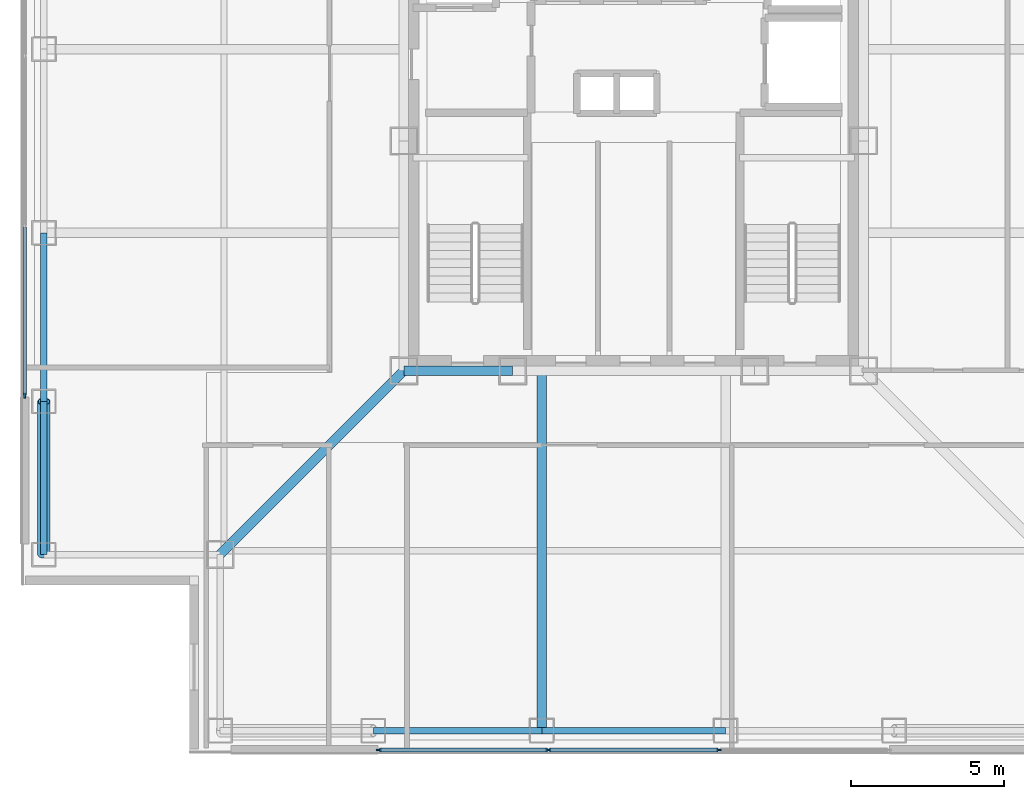
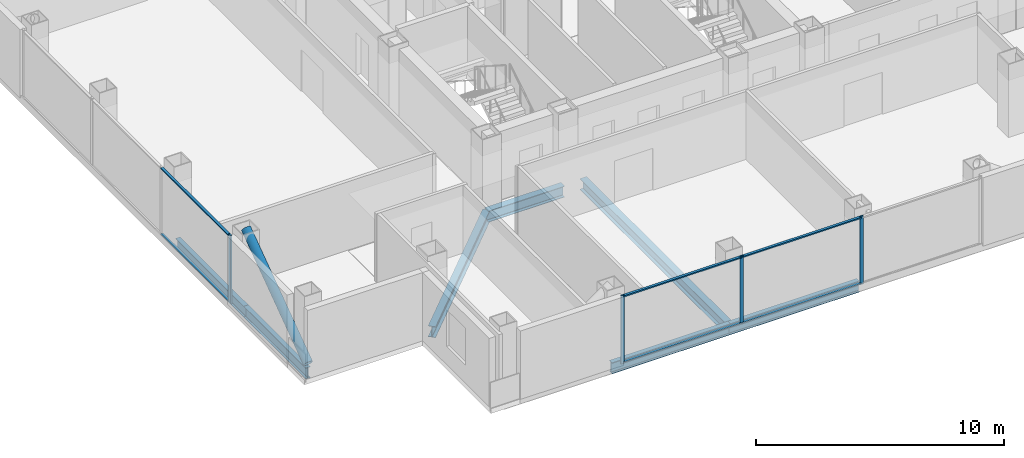
# One storey, part 2 of 17: 11 members, 7 beams, 2 elements without a shape of their own.
"""IFC4 building model written with IfcOpenShell, lengths in metres."""

from ifc_helpers import new_model, si_unit, direction, frame, origin, origin_2d, place, context, subcontext, project, spatial, rectangle, hollow_circle, i_section, extrude, material, layer, layer_set, material_profile, profile_set, type_object, element, aggregate, save


model = new_model("IFC4")

# Units and contexts
model_context = context("Model", 3, precision=1e-05, world=origin(), true_north=direction((0.0, 1.0)))
body_context = subcontext(model_context, "Body", "Model", "MODEL_VIEW")
ifc_project = project(units=[si_unit("LENGTHUNIT", "METRE"), si_unit("AREAUNIT", "SQUARE_METRE"), si_unit("VOLUMEUNIT", "CUBIC_METRE"), si_unit("PLANEANGLEUNIT", "RADIAN"), si_unit("MASSUNIT", "GRAM", prefix="KILO")], contexts=[model_context])

# Site, building, storey
site_placement = place(None, origin())
site = spatial("IfcSite", under=ifc_project, at=site_placement, CompositionType="ELEMENT")
building_placement = place(site_placement, origin())
building = spatial("IfcBuilding", under=site, at=building_placement, Name="Trevonay Congress Spire", CompositionType="ELEMENT")
storey_placement = place(building_placement, frame((0.0, 0.0, 191.39990234375)))
storey = spatial("IfcBuildingStorey", under=building, at=storey_placement, Name="L49", CompositionType="ELEMENT", Elevation=191.39990234375)

# Beams
ifc_material_1 = material(Name="Steel ASTM A572 Grade 50", Category="steel")
ifc_material_profile_1 = material_profile(ifc_material_1, i_section(OverallWidth=0.31201171875, OverallDepth=0.54296875, WebThickness=0.0126953125, FlangeThickness=0.020263671875, FilletRadius=0.014892578125, at=origin_2d()), Name="W530x150")
ifc_profile_set_1 = profile_set([ifc_material_profile_1], Name="Steel ASTM A572 Grade 50")
beam_type_1 = type_object("IfcBeamType", Name="BM-GIRD-W530X150", PredefinedType="BEAM", material=ifc_profile_set_1)
beam_1_placement = place(storey_placement, frame((-7.5, -7.5, -0.511474609375), z_axis=(1.0, 0.0, 0.0), x_axis=(0.0, 1.0, 0.0)))
element("IfcBeam", 1, at=beam_1_placement, inside=storey, type_object=beam_type_1, Name="L49 structural beam BM-L49-CR-S1", PredefinedType="BEAM", context=body_context, shape_type="SweptSolid", body=[
    extrude(i_section(OverallWidth=0.31201171875, OverallDepth=0.54296875, WebThickness=0.0126953125, FlangeThickness=0.020263671875, FilletRadius=0.014892578125, at=origin_2d()), origin(), (0.0, 0.0, 1.0), 3.550048828125),
])
beam_2_placement = place(storey_placement, frame((-7.5, -7.5, -0.511474609375), z_axis=(-0.707106781187, -0.707106781187, 0.0), x_axis=(0.707106781187, -0.707106781187, 0.0)))
element("IfcBeam", 2, at=beam_2_placement, inside=storey, type_object=beam_type_1, Name="L49 structural beam BM-L49-CDSW", PredefinedType="BEAM", context=body_context, shape_type="SweptSolid", body=[
    extrude(i_section(OverallWidth=0.31201171875, OverallDepth=0.54296875, WebThickness=0.0126953125, FlangeThickness=0.020263671875, FilletRadius=0.014892578125, at=origin_2d()), origin(), (0.0, 0.0, 1.0), 8.4853515625),
])
beam_3_placement = place(storey_placement, frame((-3.0, -7.5, -0.511474609375), z_axis=(0.0, -1.0, 0.0), x_axis=(1.0, 0.0, 0.0)))
element("IfcBeam", 3, at=beam_3_placement, inside=storey, type_object=beam_type_1, Name="L49 structural beam BM-L49-GS-M", PredefinedType="BEAM", context=body_context, shape_type="SweptSolid", body=[
    extrude(i_section(OverallWidth=0.31201171875, OverallDepth=0.54296875, WebThickness=0.0126953125, FlangeThickness=0.020263671875, FilletRadius=0.014892578125, at=origin_2d()), origin(), (0.0, 0.0, 1.0), 11.75),
])
ifc_material_profile_2 = material_profile(ifc_material_1, i_section(OverallWidth=0.2119140625, OverallDepth=0.5439453125, WebThickness=0.01318359375, FlangeThickness=0.021240234375, FilletRadius=0.014892578125, at=origin_2d()), Name="W530x123")
ifc_profile_set_2 = profile_set([ifc_material_profile_2], Name="Steel ASTM A572 Grade 50")
beam_type_2 = type_object("IfcBeamType", Name="BM-RING-W530X123", PredefinedType="BEAM", material=ifc_profile_set_2)
beam_4_placement = place(storey_placement, frame((-19.25, -13.5, -0.511962890625), z_axis=(0.0, 1.0, 0.0), x_axis=(-1.0, 0.0, 0.0)))
element("IfcBeam", 4, at=beam_4_placement, inside=storey, type_object=beam_type_2, Name="L49 structural beam BM-L49-PW1", PredefinedType="BEAM", context=body_context, shape_type="SweptSolid", body=[
    extrude(i_section(OverallWidth=0.2119140625, OverallDepth=0.5439453125, WebThickness=0.01318359375, FlangeThickness=0.021240234375, FilletRadius=0.014892578125, at=origin_2d()), origin(), (0.0, 0.0, 1.0), 5.0),
])
for number, where, z_axis, x_axis, name in (
    (5, (-8.5, -19.25, -0.511962890625), (1.0, 0.0, 0.0), (0.0, 1.0, 0.0), "L49 structural beam BM-L49-PS2"),
    (6, (-19.25, -8.5, -0.511962890625), (0.0, 1.0, 0.0), (-1.0, 0.0, 0.0), "L49 structural beam BM-L49-PW2"),
):
    element("IfcBeam", number, at=place(storey_placement, frame(where, z_axis=z_axis, x_axis=x_axis)), inside=storey, type_object=beam_type_2, Name=name, PredefinedType="BEAM", context=body_context, shape_type="SweptSolid", body=[
        extrude(i_section(OverallWidth=0.2119140625, OverallDepth=0.5439453125, WebThickness=0.01318359375, FlangeThickness=0.021240234375, FilletRadius=0.014892578125, at=origin_2d()), origin(), (0.0, 0.0, 1.0), 5.5),
    ])
beam_5_placement = place(storey_placement, frame((-3.0, -19.25, -0.511962890625), z_axis=(1.0, 0.0, 0.0), x_axis=(0.0, 1.0, 0.0)))
element("IfcBeam", 7, at=beam_5_placement, inside=storey, type_object=beam_type_2, Name="L49 structural beam BM-L49-PS3", PredefinedType="BEAM", context=body_context, shape_type="SweptSolid", body=[
    extrude(i_section(OverallWidth=0.2119140625, OverallDepth=0.5439453125, WebThickness=0.01318359375, FlangeThickness=0.021240234375, FilletRadius=0.014892578125, at=origin_2d()), origin(), (0.0, 0.0, 1.0), 6.0),
])

# Curtain wall, members
ifc_material_2 = material(Name="Pale Anodised Aluminium EN AW-6063-T6", Category="aluminium")
ifc_layer = layer(ifc_material_2, 0.169921875, Name="Pale Anodised Aluminium EN AW-6063-T6")
ifc_layer_set = layer_set([ifc_layer], Name="Pale Anodised Aluminium EN AW-6063-T6")
curtain_wall_type = type_object("IfcCurtainWallType", Name="CW-SYS04-CORP-PALE-METAL", PredefinedType="NOTDEFINED", material=ifc_layer_set)
curtain_wall_1_placement = place(storey_placement, origin())
curtain_wall_1 = element("IfcCurtainWall", 8, at=curtain_wall_1_placement, inside=storey, type_object=curtain_wall_type, Name="L49 S unitised curtain wall", PredefinedType="NOTDEFINED")
ifc_material_profile_3 = material_profile(ifc_material_2, rectangle(XDim=0.06005859375, YDim=0.159912109375, at=origin_2d()), Name="CW-MULLION-160-ALUMINIUM")
ifc_profile_set_3 = profile_set([ifc_material_profile_3], Name="Pale Anodised Aluminium EN AW-6063-T6")
member_type_1 = type_object("IfcMemberType", Name="CW-MULLION-160-ALUMINIUM", PredefinedType="MULLION", material=ifc_profile_set_3)
member_1_placement = place(storey_placement, frame((-8.320068359375, -19.8798828125, 0.0), z_axis=(0.0, 0.0, 1.0), x_axis=(0.0, 1.0, 0.0)))
member_1 = element("IfcMember", 9, at=member_1_placement, type_object=member_type_1, Name="CW04 mullion 1", PredefinedType="MULLION", context=body_context, shape_type="SweptSolid", body=[
    extrude(rectangle(XDim=0.06005859375, YDim=0.159912109375, at=origin_2d()), origin(), (0.0, 0.0, 1.0), 3.360107421875),
])
member_2_placement = place(storey_placement, frame((-2.783447265625, -19.8798828125, 0.0), z_axis=(0.0, 0.0, 1.0), x_axis=(0.0, 1.0, 0.0)))
member_2 = element("IfcMember", 10, at=member_2_placement, type_object=member_type_1, Name="CW04 mullion 2", PredefinedType="MULLION", context=body_context, shape_type="SweptSolid", body=[
    extrude(rectangle(XDim=0.06005859375, YDim=0.159912109375, at=origin_2d()), origin(), (0.0, 0.0, 1.0), 3.360107421875),
])
member_3_placement = place(storey_placement, frame((2.783447265625, -19.8798828125, 0.0), z_axis=(0.0, 0.0, 1.0), x_axis=(0.0, 1.0, 0.0)))
member_3 = element("IfcMember", 11, at=member_3_placement, type_object=member_type_1, Name="CW04 mullion 3", PredefinedType="MULLION", context=body_context, shape_type="SweptSolid", body=[
    extrude(rectangle(XDim=0.06005859375, YDim=0.159912109375, at=origin_2d()), origin(), (0.0, 0.0, 1.0), 3.360107421875),
])

# Curtain wall, member
curtain_wall_2_placement = place(storey_placement, origin())
curtain_wall_2 = element("IfcCurtainWall", 12, at=curtain_wall_2_placement, inside=storey, type_object=curtain_wall_type, Name="L49 W unitised curtain wall", PredefinedType="NOTDEFINED")
member_4_placement = place(storey_placement, frame((-19.8798828125, -8.320068359375, 0.0), z_axis=(0.0, 0.0, 1.0), x_axis=(-1.0, 0.0, 0.0)))
member_4 = element("IfcMember", 13, at=member_4_placement, type_object=member_type_1, Name="CW04 mullion 1", PredefinedType="MULLION", context=body_context, shape_type="SweptSolid", body=[
    extrude(rectangle(XDim=0.06005859375, YDim=0.159912109375, at=origin_2d()), origin(), (0.0, 0.0, 1.0), 3.360107421875),
])

# Member
ifc_material_profile_4 = material_profile(ifc_material_2, rectangle(XDim=0.1201171875, YDim=0.06005859375, at=origin_2d()), Name="CW-TRANSOM-120-ALUMINIUM")
ifc_profile_set_4 = profile_set([ifc_material_profile_4], Name="Pale Anodised Aluminium EN AW-6063-T6")
member_type_2 = type_object("IfcMemberType", Name="CW-TRANSOM-120-ALUMINIUM", PredefinedType="USERDEFINED", material=ifc_profile_set_4)
member_5_placement = place(storey_placement, frame((-8.2900390625, -19.8798828125, 0.06005859375), z_axis=(1.0, 0.0, 0.0), x_axis=(0.0, 1.0, 0.0)))
member_5 = element("IfcMember", 14, at=member_5_placement, type_object=member_type_2, Name="CW04 transom 1.1", ObjectType="TRANSOM", PredefinedType="USERDEFINED", context=body_context, shape_type="SweptSolid", body=[
    extrude(rectangle(XDim=0.1201171875, YDim=0.06005859375, at=origin_2d()), origin(), (0.0, 0.0, 1.0), 5.476806640625),
])

member_6_placement = place(storey_placement, frame((-8.2900390625, -19.8798828125, 3.300048828125), z_axis=(1.0, 0.0, 0.0), x_axis=(0.0, 1.0, 0.0)))
member_6 = element("IfcMember", 15, at=member_6_placement, type_object=member_type_2, Name="CW04 transom 1.2", ObjectType="TRANSOM", PredefinedType="USERDEFINED", context=body_context, shape_type="SweptSolid", body=[
    extrude(rectangle(XDim=0.1201171875, YDim=0.06005859375, at=origin_2d()), origin(), (0.0, 0.0, 1.0), 5.476806640625),
])

member_7_placement = place(storey_placement, frame((-2.75341796875, -19.8798828125, 0.06005859375), z_axis=(1.0, 0.0, 0.0), x_axis=(0.0, 1.0, 0.0)))
member_7 = element("IfcMember", 16, at=member_7_placement, type_object=member_type_2, Name="CW04 transom 2.1", ObjectType="TRANSOM", PredefinedType="USERDEFINED", context=body_context, shape_type="SweptSolid", body=[
    extrude(rectangle(XDim=0.1201171875, YDim=0.06005859375, at=origin_2d()), origin(), (0.0, 0.0, 1.0), 5.5068359375),
])

member_8_placement = place(storey_placement, frame((-2.75341796875, -19.8798828125, 3.300048828125), z_axis=(1.0, 0.0, 0.0), x_axis=(0.0, 1.0, 0.0)))
member_8 = element("IfcMember", 17, at=member_8_placement, type_object=member_type_2, Name="CW04 transom 2.2", ObjectType="TRANSOM", PredefinedType="USERDEFINED", context=body_context, shape_type="SweptSolid", body=[
    extrude(rectangle(XDim=0.1201171875, YDim=0.06005859375, at=origin_2d()), origin(), (0.0, 0.0, 1.0), 5.5068359375),
])

aggregate(curtain_wall_1, [member_1, member_2, member_3, member_5, member_6, member_7, member_8])

member_9_placement = place(storey_placement, frame((-19.8798828125, -8.2900390625, 0.06005859375), z_axis=(0.0, 1.0, 0.0), x_axis=(-1.0, 0.0, 0.0)))
member_9 = element("IfcMember", 18, at=member_9_placement, type_object=member_type_2, Name="CW04 transom 1.1", ObjectType="TRANSOM", PredefinedType="USERDEFINED", context=body_context, shape_type="SweptSolid", body=[
    extrude(rectangle(XDim=0.1201171875, YDim=0.06005859375, at=origin_2d()), origin(), (0.0, 0.0, 1.0), 5.476806640625),
])

member_10_placement = place(storey_placement, frame((-19.8798828125, -8.2900390625, 3.300048828125), z_axis=(0.0, 1.0, 0.0), x_axis=(-1.0, 0.0, 0.0)))
member_10 = element("IfcMember", 19, at=member_10_placement, type_object=member_type_2, Name="CW04 transom 1.2", ObjectType="TRANSOM", PredefinedType="USERDEFINED", context=body_context, shape_type="SweptSolid", body=[
    extrude(rectangle(XDim=0.1201171875, YDim=0.06005859375, at=origin_2d()), origin(), (0.0, 0.0, 1.0), 5.476806640625),
])

aggregate(curtain_wall_2, [member_4, member_9, member_10])

ifc_material_3 = material(Name="Steel ASTM A500 Grade C", Category="steel")
ifc_material_profile_5 = material_profile(ifc_material_3, hollow_circle(Radius=0.203125, WallThickness=0.02001953125, at=origin_2d()), Name="CHS 406.4x20")
ifc_profile_set_5 = profile_set([ifc_material_profile_5], Name="Steel ASTM A500 Grade C")
member_type_3 = type_object("IfcMemberType", Name="MBR-TUBE-CHS406", PredefinedType="BRACE", material=ifc_profile_set_5)
member_11_placement = place(storey_placement, frame((-19.25, -13.5, -0.0498046875), z_axis=(0.0, 0.811545615365, 0.584289067313), x_axis=(-1.0, 0.0, 0.0)))
element("IfcMember", 20, at=member_11_placement, inside=storey, type_object=member_type_3, Name="L49 perimeter braced-tube diagonal W0", PredefinedType="BRACE", context=body_context, shape_type="SweptSolid", body=[
    extrude(hollow_circle(Radius=0.203125, WallThickness=0.02001953125, at=origin_2d()), origin(), (0.0, 0.0, 1.0), 6.1611328125),
])

save(model, "model.ifc")
